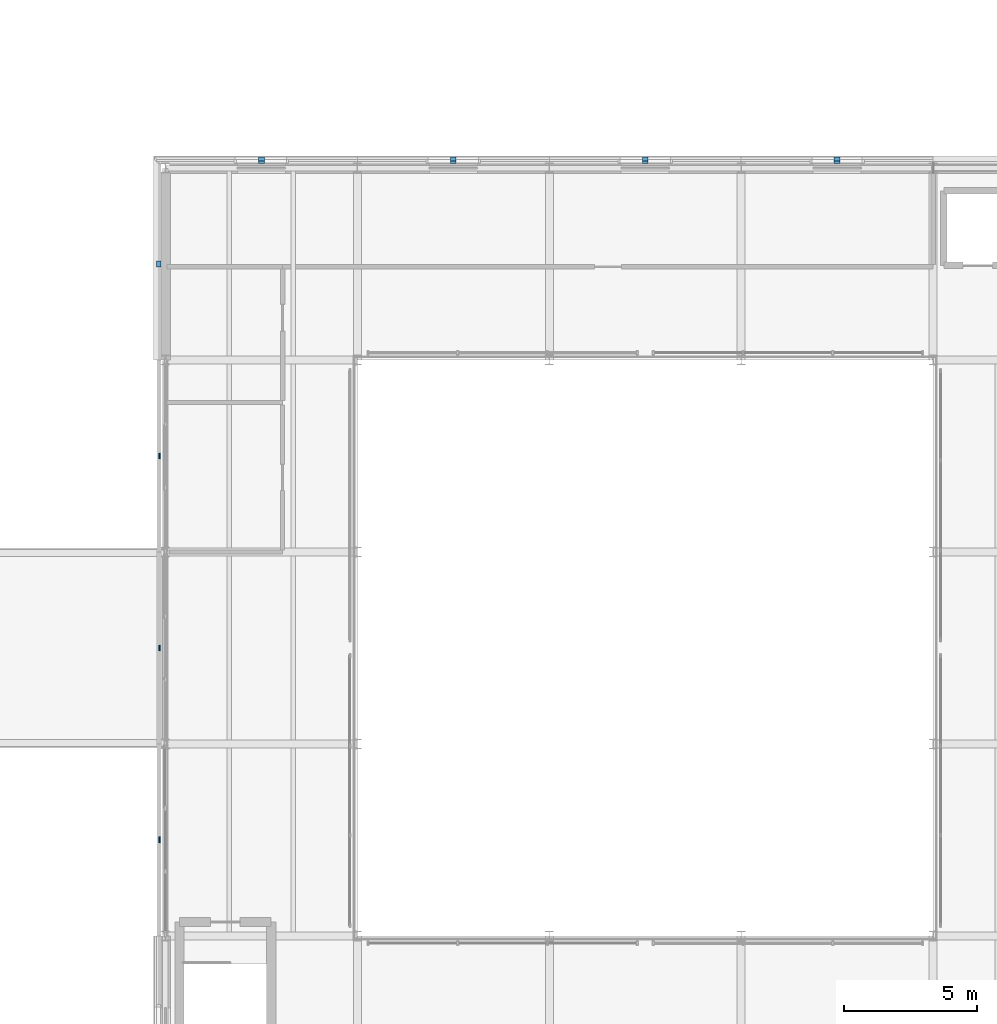
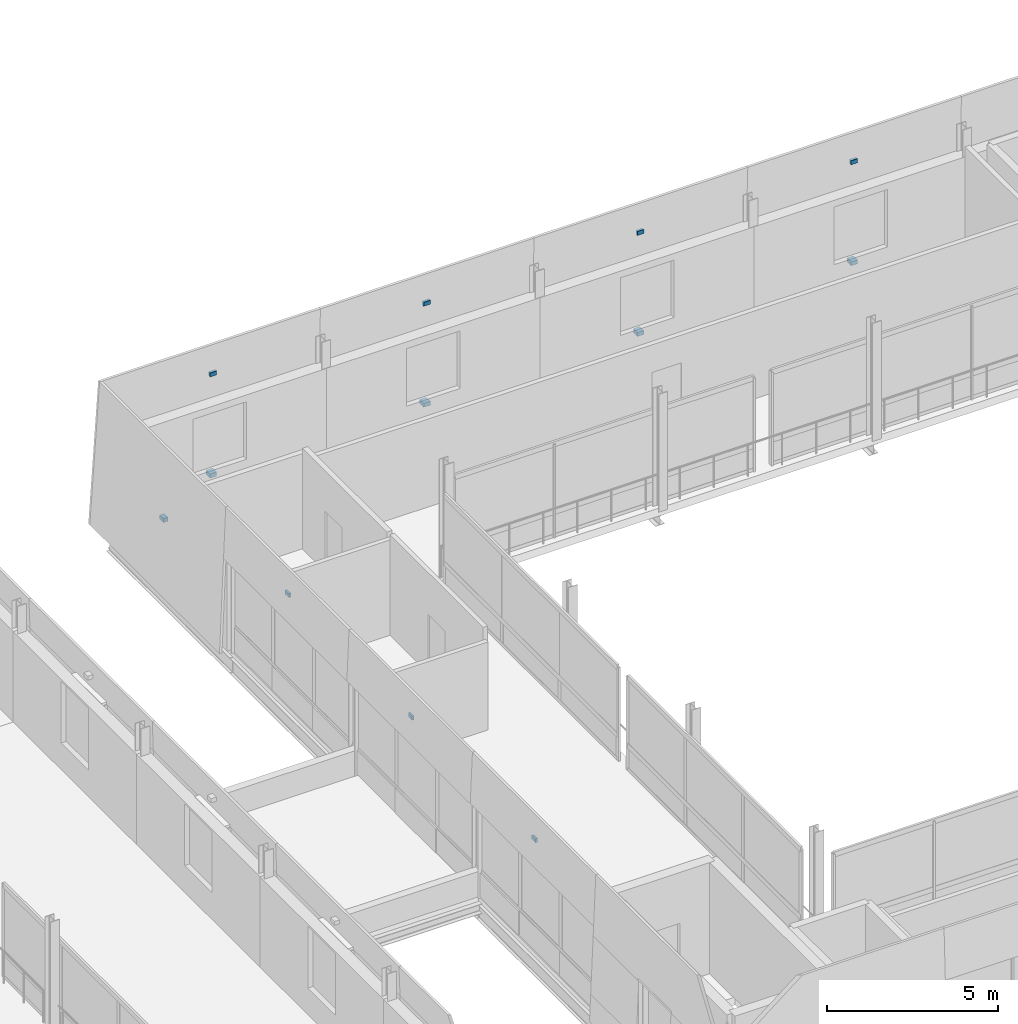
# One storey, part 72 of 91: 12 discrete accessories.
"""IFC4 building model written with IfcOpenShell, lengths in metres."""

from ifc_helpers import new_model, si_unit, direction, frame, origin, origin_2d, place, context, subcontext, project, spatial, rectangle, extrude, material, layer, layer_set, type_object, element, save


model = new_model("IFC4")

# Units and contexts
model_context = context("Model", 3, precision=1e-05, world=origin(), true_north=direction((0.0, 1.0)))
body_context = subcontext(model_context, "Body", "Model", "MODEL_VIEW")
ifc_project = project(units=[si_unit("LENGTHUNIT", "METRE"), si_unit("AREAUNIT", "SQUARE_METRE"), si_unit("VOLUMEUNIT", "CUBIC_METRE"), si_unit("PLANEANGLEUNIT", "RADIAN"), si_unit("MASSUNIT", "GRAM", prefix="KILO")], contexts=[model_context])

# Site, building, storey
site_placement = place(None, origin())
site = spatial("IfcSite", under=ifc_project, at=site_placement, CompositionType="ELEMENT")
building_placement = place(site_placement, origin())
building = spatial("IfcBuilding", under=site, at=building_placement, Name="Narikvali Park Central Library", CompositionType="ELEMENT")
storey_placement = place(building_placement, frame((0.0, 0.0, 14.39990234375)))
storey = spatial("IfcBuildingStorey", under=building, at=storey_placement, Name="L03", CompositionType="ELEMENT", Elevation=14.39990234375)

# Discrete accessories
ifc_material = material(Name="Brushed Stainless Steel S355", Category="steel")
ifc_layer = layer(ifc_material, 0.139892578125, Name="Brushed Stainless Steel S355")
ifc_layer_set = layer_set([ifc_layer], Name="Brushed Stainless Steel S355")
discrete_accessory_type = type_object("IfcDiscreteAccessoryType", Name="Cladding Stainless Tie-Back Corbel Bracket", PredefinedType="BRACKET", material=ifc_layer_set)
discrete_accessory_1_placement = place(storey_placement, frame((90.0, 93.890625, 0.4052734375), z_axis=(0.0, 0.0, 1.0), x_axis=(1.0, 0.0, 0.0)))
element("IfcDiscreteAccessory", 1, at=discrete_accessory_1_placement, inside=storey, type_object=discrete_accessory_type, Name="Limestone Cladding Tie-Back Bracket V1-CLD-L03-N-B02-SP", PredefinedType="BRACKET", context=body_context, shape_type="SweptSolid", body=[
    extrude(rectangle(XDim=0.219970703125, YDim=0.2412109375, at=origin_2d()), origin(), (0.0, 0.0, 1.0), 0.139892578125),
])
discrete_accessory_2_placement = place(storey_placement, frame((90.0, 93.81689453125, 4.00537109375), z_axis=(0.0, 0.0, 1.0), x_axis=(1.0, 0.0, 0.0)))
element("IfcDiscreteAccessory", 2, at=discrete_accessory_2_placement, inside=storey, type_object=discrete_accessory_type, Name="Limestone Cladding Tie-Back Bracket V1-CLD-L03-N-B02-LN", PredefinedType="BRACKET", context=body_context, shape_type="SweptSolid", body=[
    extrude(rectangle(XDim=0.219970703125, YDim=0.093994140625, at=origin_2d()), origin(), (0.0, 0.0, 1.0), 0.139892578125),
])
discrete_accessory_3_placement = place(storey_placement, frame((82.800048828125, 93.890625, 0.4052734375), z_axis=(0.0, 0.0, 1.0), x_axis=(1.0, 0.0, 0.0)))
element("IfcDiscreteAccessory", 3, at=discrete_accessory_3_placement, inside=storey, type_object=discrete_accessory_type, Name="Limestone Cladding Tie-Back Bracket V1-CLD-L03-N-B03-SP", PredefinedType="BRACKET", context=body_context, shape_type="SweptSolid", body=[
    extrude(rectangle(XDim=0.219970703125, YDim=0.2412109375, at=origin_2d()), origin(), (0.0, 0.0, 1.0), 0.139892578125),
])
discrete_accessory_4_placement = place(storey_placement, frame((82.800048828125, 93.81689453125, 4.00537109375), z_axis=(0.0, 0.0, 1.0), x_axis=(1.0, 0.0, 0.0)))
element("IfcDiscreteAccessory", 4, at=discrete_accessory_4_placement, inside=storey, type_object=discrete_accessory_type, Name="Limestone Cladding Tie-Back Bracket V1-CLD-L03-N-B03-LN", PredefinedType="BRACKET", context=body_context, shape_type="SweptSolid", body=[
    extrude(rectangle(XDim=0.219970703125, YDim=0.093994140625, at=origin_2d()), origin(), (0.0, 0.0, 1.0), 0.139892578125),
])
discrete_accessory_5_placement = place(storey_placement, frame((75.60009765625, 93.890625, 0.4052734375), z_axis=(0.0, 0.0, 1.0), x_axis=(1.0, 0.0, 0.0)))
element("IfcDiscreteAccessory", 5, at=discrete_accessory_5_placement, inside=storey, type_object=discrete_accessory_type, Name="Limestone Cladding Tie-Back Bracket V1-CLD-L03-N-B04-SP", PredefinedType="BRACKET", context=body_context, shape_type="SweptSolid", body=[
    extrude(rectangle(XDim=0.219970703125, YDim=0.2412109375, at=origin_2d()), origin(), (0.0, 0.0, 1.0), 0.139892578125),
])
discrete_accessory_6_placement = place(storey_placement, frame((75.60009765625, 93.81689453125, 4.00537109375), z_axis=(0.0, 0.0, 1.0), x_axis=(1.0, 0.0, 0.0)))
element("IfcDiscreteAccessory", 6, at=discrete_accessory_6_placement, inside=storey, type_object=discrete_accessory_type, Name="Limestone Cladding Tie-Back Bracket V1-CLD-L03-N-B04-LN", PredefinedType="BRACKET", context=body_context, shape_type="SweptSolid", body=[
    extrude(rectangle(XDim=0.219970703125, YDim=0.093994140625, at=origin_2d()), origin(), (0.0, 0.0, 1.0), 0.139892578125),
])
discrete_accessory_7_placement = place(storey_placement, frame((68.39990234375, 93.890625, 0.4052734375), z_axis=(0.0, 0.0, 1.0), x_axis=(1.0, 0.0, 0.0)))
element("IfcDiscreteAccessory", 7, at=discrete_accessory_7_placement, inside=storey, type_object=discrete_accessory_type, Name="Limestone Cladding Tie-Back Bracket V1-CLD-L03-N-B05-SP", PredefinedType="BRACKET", context=body_context, shape_type="SweptSolid", body=[
    extrude(rectangle(XDim=0.219970703125, YDim=0.2412109375, at=origin_2d()), origin(), (0.0, 0.0, 1.0), 0.139892578125),
])
discrete_accessory_8_placement = place(storey_placement, frame((68.39990234375, 93.81689453125, 4.00537109375), z_axis=(0.0, 0.0, 1.0), x_axis=(1.0, 0.0, 0.0)))
element("IfcDiscreteAccessory", 8, at=discrete_accessory_8_placement, inside=storey, type_object=discrete_accessory_type, Name="Limestone Cladding Tie-Back Bracket V1-CLD-L03-N-B05-LN", PredefinedType="BRACKET", context=body_context, shape_type="SweptSolid", body=[
    extrude(rectangle(XDim=0.219970703125, YDim=0.093994140625, at=origin_2d()), origin(), (0.0, 0.0, 1.0), 0.139892578125),
])
discrete_accessory_9_placement = place(storey_placement, frame((64.55224609375, 90.0, 2.50537109375), z_axis=(0.0, 0.0, 1.0), x_axis=(1.0, 0.0, 0.0)))
element("IfcDiscreteAccessory", 9, at=discrete_accessory_9_placement, inside=storey, type_object=discrete_accessory_type, Name="Limestone Cladding Tie-Back Bracket V1-CLD-L03-W-B01-FULL", PredefinedType="BRACKET", context=body_context, shape_type="SweptSolid", body=[
    extrude(rectangle(XDim=0.1552734375, YDim=0.219970703125, at=origin_2d()), origin(), (0.0, 0.0, 1.0), 0.139892578125),
])
for number, where, z_axis, x_axis, name in (
    (10, (64.576416015625, 82.800048828125, 4.17529296875), (0.0, 0.0, 1.0), (1.0, 0.0, 0.0), "Limestone Cladding Tie-Back Bracket V1-CLD-L03-W-B02-HDR"),
    (11, (64.576416015625, 75.60009765625, 4.17529296875), (0.0, 0.0, 1.0), (1.0, 0.0, 0.0), "Limestone Cladding Tie-Back Bracket V1-CLD-L03-W-B03-HDR"),
    (12, (64.576416015625, 68.39990234375, 4.17529296875), (0.0, 0.0, 1.0), (1.0, 0.0, 0.0), "Limestone Cladding Tie-Back Bracket V1-CLD-L03-W-B04-HDR"),
):
    element("IfcDiscreteAccessory", number, at=place(storey_placement, frame(where, z_axis=z_axis, x_axis=x_axis)), inside=storey, type_object=discrete_accessory_type, Name=name, PredefinedType="BRACKET", context=body_context, shape_type="SweptSolid", body=[
        extrude(rectangle(XDim=0.06689453125, YDim=0.219970703125, at=origin_2d()), origin(), (0.0, 0.0, 1.0), 0.139892578125),
    ])

save(model, "model.ifc")
